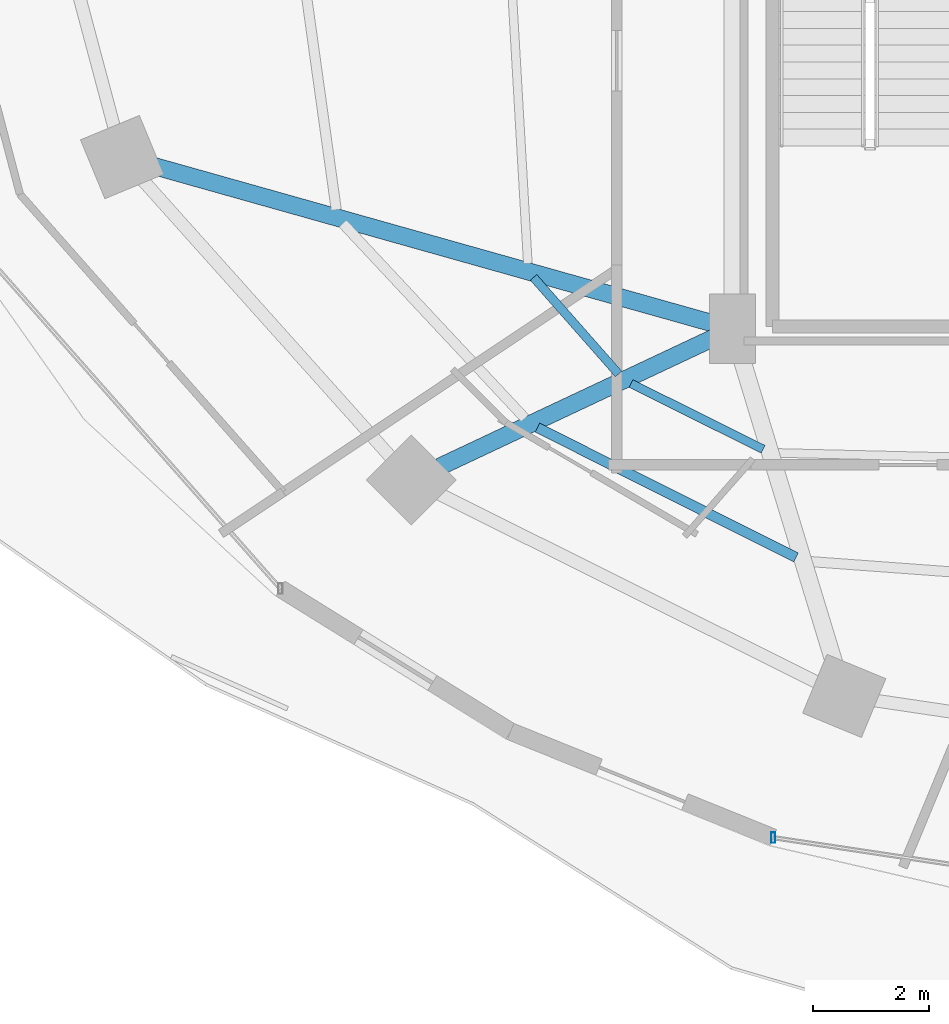
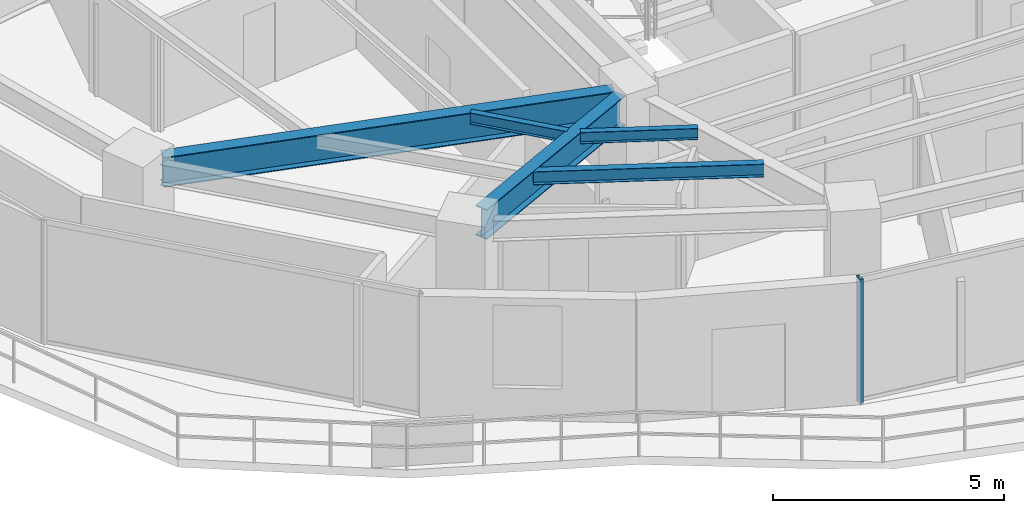
# One storey, part 4 of 29: 5 beams, 1 member, 1 element without a shape of its own.
"""IFC4 building model written with IfcOpenShell, lengths in metres."""

from ifc_helpers import new_model, si_unit, direction, frame, origin, origin_2d, place, context, subcontext, project, spatial, hollow_rectangle, i_section, extrude, material, material_profile, profile_set, type_object, element, aggregate, save


model = new_model("IFC4")

# Units and contexts
model_context = context("Model", 3, precision=1e-05, world=origin(), true_north=direction((0.0, 1.0)))
body_context = subcontext(model_context, "Body", "Model", "MODEL_VIEW")
ifc_project = project(units=[si_unit("LENGTHUNIT", "METRE"), si_unit("AREAUNIT", "SQUARE_METRE"), si_unit("VOLUMEUNIT", "CUBIC_METRE"), si_unit("PLANEANGLEUNIT", "RADIAN"), si_unit("MASSUNIT", "GRAM", prefix="KILO")], contexts=[model_context])

# Site, building, storey
site_placement = place(None, origin())
site = spatial("IfcSite", under=ifc_project, at=site_placement, CompositionType="ELEMENT")
building_placement = place(site_placement, origin())
building = spatial("IfcBuilding", under=site, at=building_placement, Name="Vorneva Point Tower", CompositionType="ELEMENT")
storey_placement = place(building_placement, frame((0.0, 0.0, 82.300048828125)))
storey = spatial("IfcBuildingStorey", under=building, at=storey_placement, Name="L21", CompositionType="ELEMENT", Elevation=82.300048828125)

# Beams
ifc_material_1 = material(Name="Steel S355", Category="steel")
ifc_material_profile_1 = material_profile(ifc_material_1, i_section(OverallWidth=0.300048828125, OverallDepth=0.7880859375, WebThickness=0.014404296875, FlangeThickness=0.02197265625, at=origin_2d()), Name="80Sh1")
ifc_profile_set_1 = profile_set([ifc_material_profile_1], Name="Steel S355")
beam_type_1 = type_object("IfcBeamType", Name="BM-GRD-80Sh1", PredefinedType="USERDEFINED", material=ifc_profile_set_1)
beam_1_placement = place(storey_placement, frame((17.222412109375, 19.272216796875, 2.845947265625), z_axis=(0.962598038366, -0.270933601708, 0.0), x_axis=(0.270933601708, 0.962598038366, 0.0)))
element("IfcBeam", 1, at=beam_1_placement, inside=storey, type_object=beam_type_1, Name="L21 Radial Primary Girder 10", ObjectType="GIRDER", PredefinedType="USERDEFINED", context=body_context, shape_type="SweptSolid", body=[
    extrude(i_section(OverallWidth=0.300048828125, OverallDepth=0.7880859375, WebThickness=0.014404296875, FlangeThickness=0.02197265625, at=origin_2d()), origin(), (0.0, 0.0, 1.0), 10.0771484375),
])
beam_2_placement = place(storey_placement, frame((22.18798828125, 14.06689453125, 2.845947265625), z_axis=(0.904751304927, 0.425940226126, 0.0), x_axis=(-0.425940226126, 0.904751304927, 0.0)))
element("IfcBeam", 2, at=beam_2_placement, inside=storey, type_object=beam_type_1, Name="L21 Radial Primary Girder 11", ObjectType="GIRDER", PredefinedType="USERDEFINED", context=body_context, shape_type="SweptSolid", body=[
    extrude(i_section(OverallWidth=0.300048828125, OverallDepth=0.7880859375, WebThickness=0.014404296875, FlangeThickness=0.02197265625, at=origin_2d()), origin(), (0.0, 0.0, 1.0), 5.2548828125),
])
ifc_material_profile_2 = material_profile(ifc_material_1, i_section(OverallWidth=0.14892578125, OverallDepth=0.298095703125, WebThickness=0.005615234375, FlangeThickness=0.008056640625, at=origin_2d()), Name="30B1")
ifc_profile_set_2 = profile_set([ifc_material_profile_2], Name="Steel S355")
beam_type_2 = type_object("IfcBeamType", Name="BM-JST-30B1", PredefinedType="JOIST", material=ifc_profile_set_2)
beam_3_placement = place(storey_placement, frame((23.812744140625, 17.33935546875, 3.091064453125), z_axis=(0.660778844384, -0.750580654437, 0.0), x_axis=(0.750580654437, 0.660778844384, 0.0)))
element("IfcBeam", 3, at=beam_3_placement, inside=storey, type_object=beam_type_2, Name="L21 Secondary Floor Beam 2.10", PredefinedType="JOIST", context=body_context, shape_type="SweptSolid", body=[
    extrude(i_section(OverallWidth=0.14892578125, OverallDepth=0.298095703125, WebThickness=0.005615234375, FlangeThickness=0.008056640625, at=origin_2d()), origin(), (0.0, 0.0, 1.0), 2.223876953125),
])
beam_4_placement = place(storey_placement, frame((25.4970703125, 15.505126953125, 3.091064453125), z_axis=(0.895364579083, -0.445333886566, 0.0), x_axis=(0.445333886566, 0.895364579083, 0.0)))
element("IfcBeam", 4, at=beam_4_placement, inside=storey, type_object=beam_type_2, Name="L21 Secondary Floor Beam 2.11", PredefinedType="JOIST", context=body_context, shape_type="SweptSolid", body=[
    extrude(i_section(OverallWidth=0.14892578125, OverallDepth=0.298095703125, WebThickness=0.005615234375, FlangeThickness=0.008056640625, at=origin_2d()), origin(), (0.0, 0.0, 1.0), 2.547119140625),
])
ifc_material_profile_3 = material_profile(ifc_material_1, i_section(OverallWidth=0.174072265625, OverallDepth=0.345947265625, WebThickness=0.006103515625, FlangeThickness=0.009033203125, at=origin_2d()), Name="35B1")
ifc_profile_set_3 = profile_set([ifc_material_profile_3], Name="Steel S355")
beam_type_3 = type_object("IfcBeamType", Name="BM-SEC-35B1", PredefinedType="BEAM", material=ifc_profile_set_3)
beam_5_placement = place(storey_placement, frame((23.88037109375, 14.74365234375, 3.06689453125), z_axis=(0.893693254795, -0.448678466537, 0.0), x_axis=(0.448678466537, 0.893693254795, 0.0)))
element("IfcBeam", 5, at=beam_5_placement, inside=storey, type_object=beam_type_3, Name="L21 Secondary Floor Beam 1.11", PredefinedType="BEAM", context=body_context, shape_type="SweptSolid", body=[
    extrude(i_section(OverallWidth=0.174072265625, OverallDepth=0.345947265625, WebThickness=0.006103515625, FlangeThickness=0.009033203125, at=origin_2d()), origin(), (0.0, 0.0, 1.0), 4.997802734375),
])

# Curtain wall, member
ifc_material_2 = material(Name="Pale anodised aluminium", Category="aluminium")
curtain_wall_type = type_object("IfcCurtainWallType", Name="CW-HTL-SYS", PredefinedType="NOTDEFINED", material=ifc_material_2)
curtain_wall_placement = place(storey_placement, origin())
curtain_wall = element("IfcCurtainWall", 6, at=curtain_wall_placement, inside=storey, type_object=curtain_wall_type, Name="L21 Unitised Curtain Wall CW-L21-R03", PredefinedType="NOTDEFINED")
ifc_material_profile_4 = material_profile(ifc_material_2, hollow_rectangle(XDim=0.074951171875, YDim=0.179931640625, WallThickness=0.00390625, at=origin_2d()), Name="AL-MUL 180x75x4")
ifc_profile_set_4 = profile_set([ifc_material_profile_4], Name="Pale anodised aluminium")
member_type = type_object("IfcMemberType", Name="CW-MUL-180", PredefinedType="MULLION", material=ifc_profile_set_4)
member_placement = place(storey_placement, frame((27.95458984375, 7.660888671875, -0.0400390625), z_axis=(0.0, 0.0, 1.0), x_axis=(1.0, 0.0, 0.0)))
member = element("IfcMember", 7, at=member_placement, type_object=member_type, Name="CW-L21-R03 Mullion 01", PredefinedType="MULLION", context=body_context, shape_type="SweptSolid", body=[
    extrude(hollow_rectangle(XDim=0.074951171875, YDim=0.179931640625, WallThickness=0.00390625, at=origin_2d()), origin(), (0.0, 0.0, 1.0), 3.31005859375),
])
aggregate(curtain_wall, [member])

save(model, "model.ifc")
